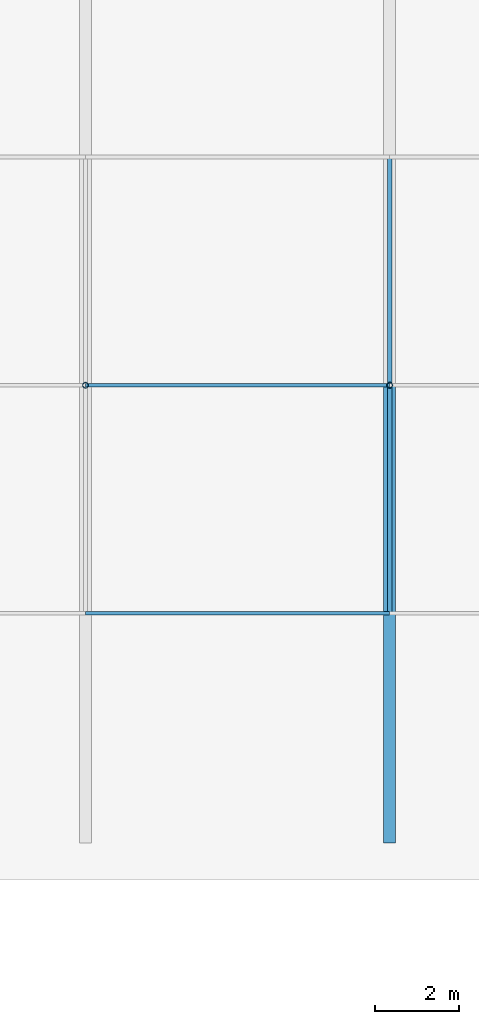
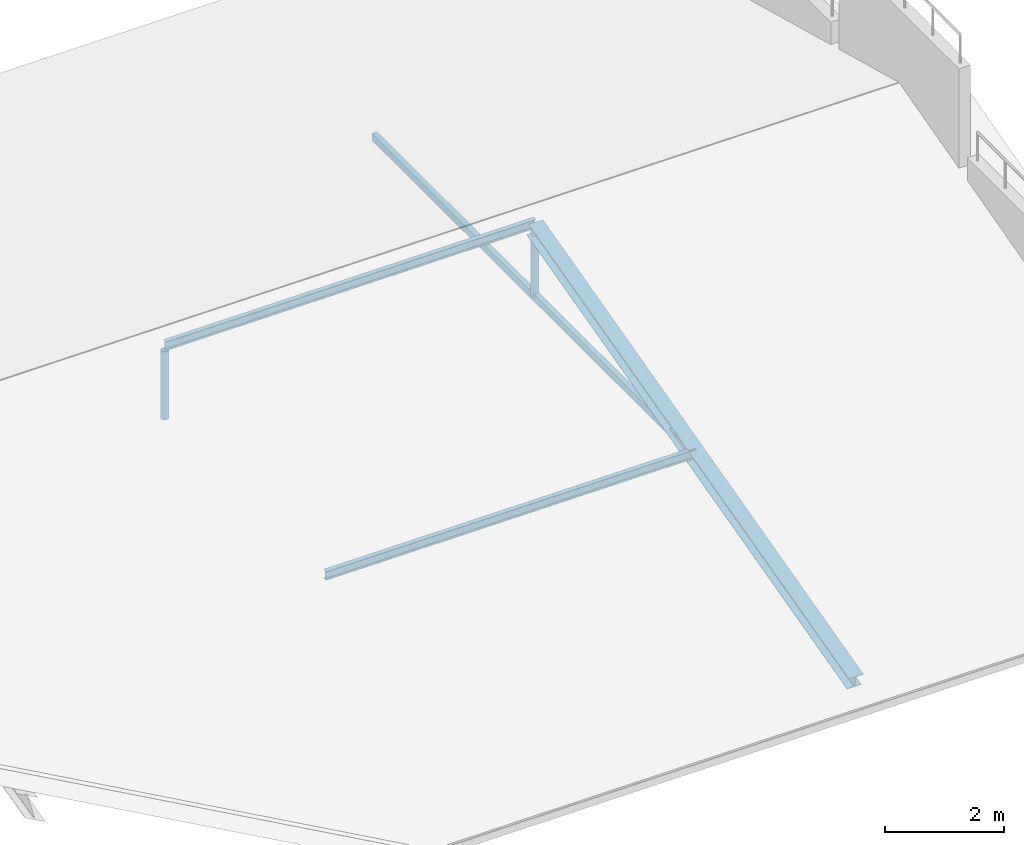
# One storey, part 26 of 124: 6 members.
"""IFC4 building model written with IfcOpenShell, lengths in metres."""

from ifc_helpers import new_model, si_unit, direction, frame, origin, origin_2d, place, context, subcontext, project, spatial, hollow_rectangle, hollow_circle, i_section, extrude, material, material_profile, profile_set, type_object, element, save


model = new_model("IFC4")

# Units and contexts
model_context = context("Model", 3, precision=1e-05, world=origin(), true_north=direction((0.0, 1.0)))
body_context = subcontext(model_context, "Body", "Model", "MODEL_VIEW")
ifc_project = project(units=[si_unit("LENGTHUNIT", "METRE"), si_unit("AREAUNIT", "SQUARE_METRE"), si_unit("VOLUMEUNIT", "CUBIC_METRE"), si_unit("PLANEANGLEUNIT", "RADIAN"), si_unit("MASSUNIT", "GRAM", prefix="KILO"), si_unit("THERMODYNAMICTEMPERATUREUNIT", "KELVIN"), si_unit("POWERUNIT", "WATT")], contexts=[model_context])

# Site, building, storey
site_placement = place(None, origin())
site = spatial("IfcSite", under=ifc_project, at=site_placement, CompositionType="ELEMENT")
building_placement = place(site_placement, origin())
building = spatial("IfcBuilding", under=site, at=building_placement, Name="Tavuni Mirador Residences", CompositionType="ELEMENT")
storey_placement = place(building_placement, frame((0.0, 0.0, 7.64990234375)))
storey = spatial("IfcBuildingStorey", under=building, at=storey_placement, Name="L02", CompositionType="ELEMENT", Elevation=7.64990234375)

# Members
ifc_material = material(Name="Structural steel S355", Category="steel")
ifc_material_profile_1 = material_profile(ifc_material, hollow_circle(Radius=0.06982421875, WallThickness=0.008056640625, at=origin_2d()), Name="CHS 139.7x8.0", Category="steel")
ifc_profile_set_1 = profile_set([ifc_material_profile_1], Name="Structural steel S355")
member_type_1 = type_object("IfcMemberType", Name="MT-BR-CHS139", PredefinedType="BRACE", material=ifc_profile_set_1)
for number, where, z_axis, x_axis, name in (
    (1, (104.39990234375, 54.0, 1.050048828125), (0.0, 0.0, 1.0), (1.0, 0.0, 0.0), "RKP-PAV-NURS-02"),
    (2, (111.60009765625, 54.0, 1.050048828125), (0.0, 0.0, 1.0), (1.0, 0.0, 0.0), "RKP-PAV-NURS-03"),
):
    element("IfcMember", number, at=place(storey_placement, frame(where, z_axis=z_axis, x_axis=x_axis)), inside=storey, type_object=member_type_1, Name=name, PredefinedType="BRACE", context=body_context, shape_type="SweptSolid", body=[
        extrude(hollow_circle(Radius=0.06982421875, WallThickness=0.008056640625, at=origin_2d()), origin(), (0.0, 0.0, 1.0), 1.400146484375),
    ])
ifc_material_profile_2 = material_profile(ifc_material, hollow_rectangle(XDim=0.10009765625, YDim=0.14990234375, WallThickness=0.008056640625, at=origin_2d()), Name="RHS 150x100x8.0", Category="steel")
ifc_profile_set_2 = profile_set([ifc_material_profile_2], Name="Structural steel S355")
member_type_2 = type_object("IfcMemberType", Name="MT-BR-RHS150", PredefinedType="BRACE", material=ifc_profile_set_2)
member_1_placement = place(storey_placement, frame((111.60009765625, 48.60009765625, 1.050048828125), z_axis=(0.0, 1.0, 0.0), x_axis=(-1.0, 0.0, 0.0)))
element("IfcMember", 3, at=member_1_placement, inside=storey, type_object=member_type_2, Name="RTIE-PAV-NURS-03", PredefinedType="BRACE", context=body_context, shape_type="SweptSolid", body=[
    extrude(hollow_rectangle(XDim=0.10009765625, YDim=0.14990234375, WallThickness=0.008056640625, at=origin_2d()), origin(), (0.0, 0.0, 1.0), 10.7998046875),
])
ifc_material_profile_3 = material_profile(ifc_material, i_section(OverallWidth=0.280029296875, OverallDepth=0.27001953125, WebThickness=0.008056640625, FlangeThickness=0.012939453125, FilletRadius=0.02392578125, at=origin_2d()), Name="HEA 280", Category="steel")
ifc_profile_set_3 = profile_set([ifc_material_profile_3], Name="Structural steel S355")
member_type_3 = type_object("IfcMemberType", Name="MT-CH-HEA280", PredefinedType="CHORD", material=ifc_profile_set_3)
member_2_placement = place(storey_placement, frame((111.60009765625, 43.199951171875, -0.349853515625), z_axis=(0.0, 0.967996110632, 0.250965196393), x_axis=(-1.0, 0.0, 0.0)))
element("IfcMember", 4, at=member_2_placement, inside=storey, type_object=member_type_3, Name="RAF-PAV-NURS-03-S", PredefinedType="CHORD", context=body_context, shape_type="SweptSolid", body=[
    extrude(i_section(OverallWidth=0.280029296875, OverallDepth=0.27001953125, WebThickness=0.008056640625, FlangeThickness=0.012939453125, FilletRadius=0.02392578125, at=origin_2d()), origin(), (0.0, 0.0, 1.0), 11.1572265625),
])
ifc_material_profile_4 = material_profile(ifc_material, i_section(OverallWidth=0.091064453125, OverallDepth=0.179931640625, WebThickness=0.00537109375, FlangeThickness=0.008056640625, FilletRadius=0.009033203125, at=origin_2d()), Name="IPE 180", Category="steel")
ifc_profile_set_4 = profile_set([ifc_material_profile_4], Name="Structural steel S355")
member_type_4 = type_object("IfcMemberType", Name="MT-PR-IPE180", PredefinedType="PURLIN", material=ifc_profile_set_4)
for number, where, z_axis, x_axis, name in (
    (5, (104.39990234375, 48.60009765625, 1.09521484375), (1.0, 0.0, 0.0), (0.0, 1.0, 0.0), "RPUR-PAV-NURS-25-02"),
    (6, (104.39990234375, 54.0, 2.545166015625), (1.0, 0.0, 0.0), (0.0, 1.0, 0.0), "RPUR-PAV-NURS-50-02"),
):
    element("IfcMember", number, at=place(storey_placement, frame(where, z_axis=z_axis, x_axis=x_axis)), inside=storey, type_object=member_type_4, Name=name, PredefinedType="PURLIN", context=body_context, shape_type="SweptSolid", body=[
        extrude(i_section(OverallWidth=0.091064453125, OverallDepth=0.179931640625, WebThickness=0.00537109375, FlangeThickness=0.008056640625, FilletRadius=0.009033203125, at=origin_2d()), origin(), (0.0, 0.0, 1.0), 7.2001953125),
    ])

save(model, "model.ifc")
